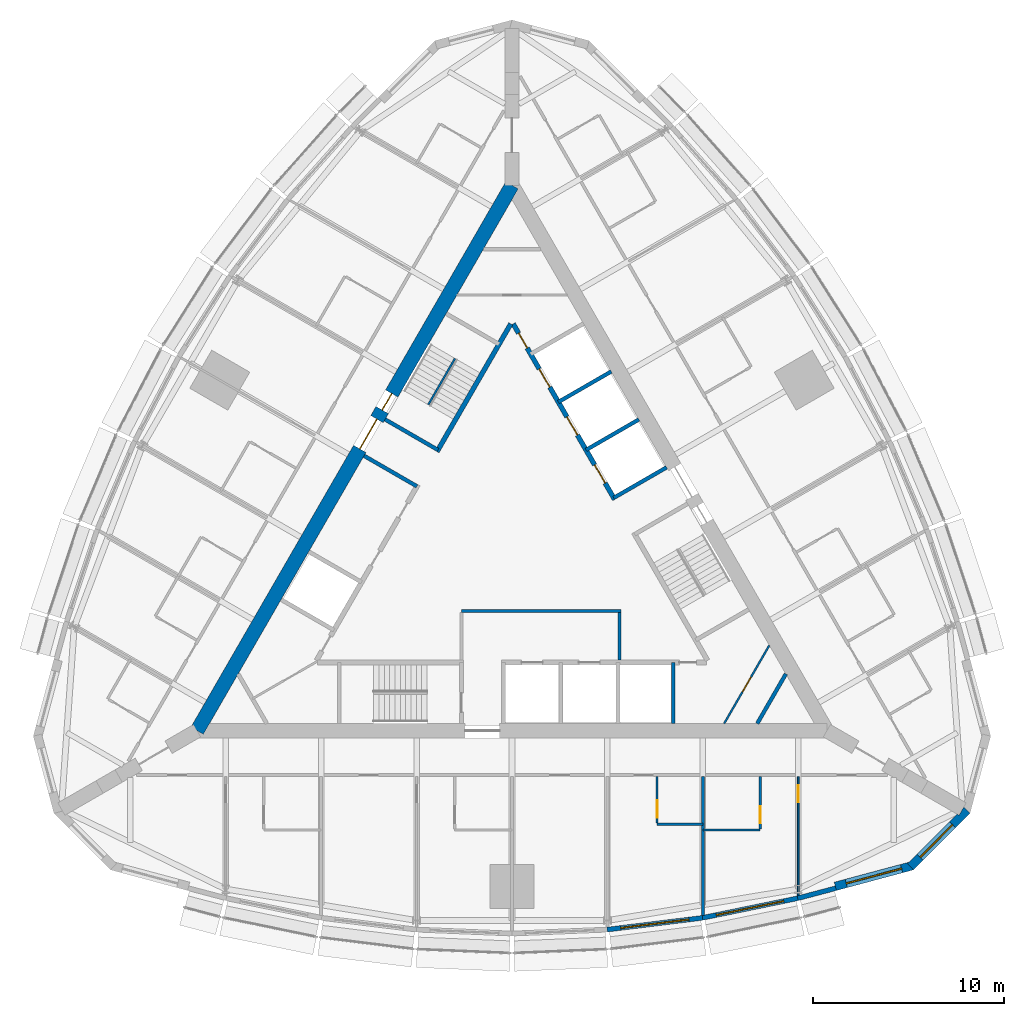
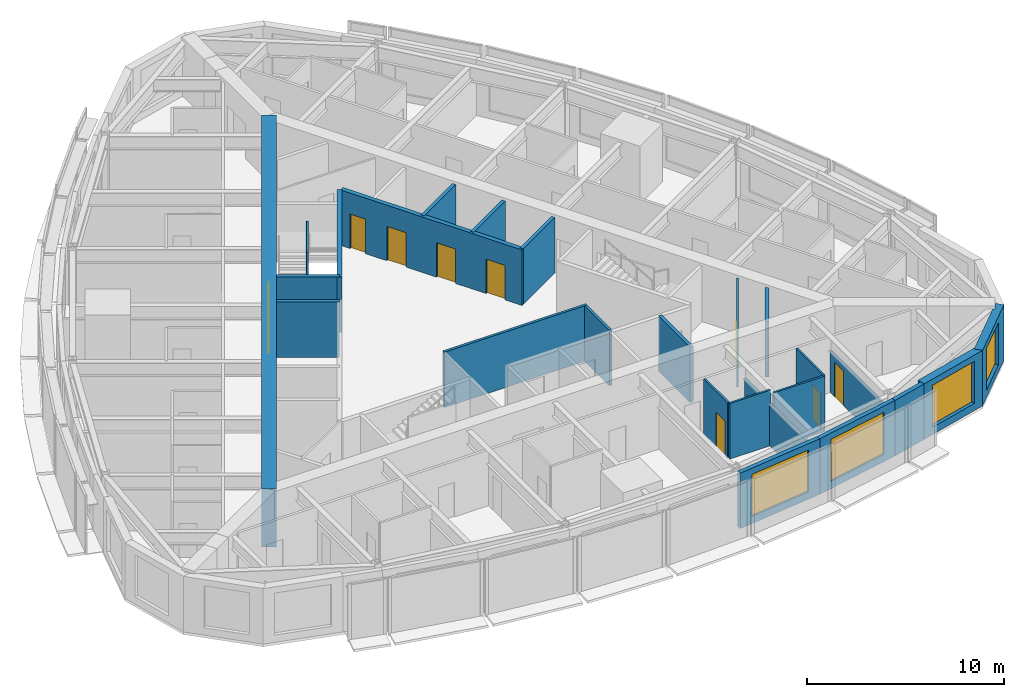
# One storey, part 11 of 15: 25 walls, 10 doors, 4 windows, 14 openings.
"""IFC4 building model written with IfcOpenShell, lengths in metres."""

from ifc_helpers import new_model, si_unit, direction, frame, frame_2d, origin, place, context, subcontext, project, spatial, polyline, rectangle, outline, extrude, material, layer, layer_set, type_object, element, fill, save


model = new_model("IFC4")

# Units and contexts
model_context = context("Model", 3, precision=1e-05, world=origin(), true_north=direction((0.0, 1.0)))
body_context = subcontext(model_context, "Body", "Model", "MODEL_VIEW")
ifc_project = project(units=[si_unit("LENGTHUNIT", "METRE"), si_unit("AREAUNIT", "SQUARE_METRE"), si_unit("VOLUMEUNIT", "CUBIC_METRE"), si_unit("PLANEANGLEUNIT", "RADIAN"), si_unit("MASSUNIT", "GRAM", prefix="KILO")], contexts=[model_context])

# Site, building, storey
site_placement = place(None, origin())
site = spatial("IfcSite", under=ifc_project, at=site_placement, CompositionType="ELEMENT")
building_placement = place(site_placement, origin())
building = spatial("IfcBuilding", under=site, at=building_placement, Name="Trikona Tower", CompositionType="ELEMENT")
storey_placement = place(building_placement, frame((0.0, 0.0, 218.89990234375)))
storey = spatial("IfcBuildingStorey", under=building, at=storey_placement, Name="L58", CompositionType="ELEMENT", Elevation=218.89990234375)

# Wall
ifc_material_1 = material(Name="Metal stud and cement board", Category="gypsum")
ifc_layer_1 = layer(ifc_material_1, 0.1201171875)
ifc_layer_set_1 = layer_set([ifc_layer_1], Name="Bathroom wall 120")
wall_type_1 = type_object("IfcWallType", Name="Bathroom wall 120", PredefinedType="PLUMBINGWALL", material=ifc_layer_set_1)
wall_1_placement = place(storey_placement, frame((7.60009765625, -14.42626953125, 0.0), z_axis=(0.0, 0.0, 1.0), x_axis=(1.0, 0.0, 0.0)))
element("IfcWall", 1, at=wall_1_placement, inside=storey, type_object=wall_type_1, Name="Bathroom wall 5803", PredefinedType="PLUMBINGWALL", context=body_context, shape_type="SweptSolid", body=[
    extrude(rectangle(XDim=2.39990234375, YDim=0.1201171875, at=frame_2d((1.199951171875, 0.0))), origin(), (0.0, 0.0, 1.0), 3.43505859375),
])

# Wall, opening, door
wall_2_placement = place(storey_placement, frame((7.60009765625, -11.92626953125, 0.0), z_axis=(0.0, 0.0, 1.0), x_axis=(0.0, -1.0, 0.0)))
wall_2 = element("IfcWall", 2, at=wall_2_placement, inside=storey, type_object=wall_type_1, Name="Bathroom wall 5803", PredefinedType="PLUMBINGWALL", context=body_context, shape_type="SweptSolid", body=[
    extrude(rectangle(XDim=2.43994140625, YDim=0.1201171875, at=frame_2d((1.219970703125, 0.0))), origin(), (0.0, 0.0, 1.0), 3.43505859375),
])
opening_1_placement = place(wall_2_placement, frame((1.25, 0.0, 0.0)))
opening_1 = element("IfcOpeningElement", 3, at=opening_1_placement, cuts=wall_2, Name="Opening D2", PredefinedType="OPENING", context=body_context, shape_type="SweptSolid", body=[
    extrude(rectangle(XDim=0.89990234375, YDim=2.1298828125, at=frame_2d((0.449951171875, 1.06494140625))), frame((0.0, 0.070068359375, 0.0), z_axis=(0.0, -1.0, 0.0), x_axis=(1.0, 0.0, 0.0)), (0.0, 0.0, 1.0), 0.14013671875),
])
ifc_material_2 = material(Name="Steel door frame with solid-core timber leaf", Category="steel")
door_type_1 = type_object("IfcDoorType", Name="Bathroom door 900x2130", OperationType="SLIDING_TO_LEFT", PredefinedType="DOOR", material=ifc_material_2)
door_1_placement = place(opening_1_placement, origin())
door_1 = element("IfcDoor", 4, at=door_1_placement, inside=storey, type_object=door_type_1, Name="Bathroom door 5803", OperationType="SLIDING_TO_LEFT", OverallHeight=2.1298828125, OverallWidth=0.89990234375, PredefinedType="DOOR", context=body_context, shape_type="SweptSolid", body=[
    extrude(rectangle(XDim=0.89990234375, YDim=2.1298828125, at=frame_2d((0.449951171875, 1.06494140625))), frame((0.0, 0.02490234375, 0.0), z_axis=(0.0, -1.0, 0.0), x_axis=(1.0, 0.0, 0.0)), (0.0, 0.0, 1.0), 0.050048828125),
])
fill(opening_1, door_1)

# Wall
wall_3_placement = place(storey_placement, frame((10.0, -14.726318359375, 0.0), z_axis=(0.0, 0.0, 1.0), x_axis=(1.0, 0.0, 0.0)))
element("IfcWall", 5, at=wall_3_placement, inside=storey, type_object=wall_type_1, Name="Bathroom wall 5804.1", PredefinedType="PLUMBINGWALL", context=body_context, shape_type="SweptSolid", body=[
    extrude(rectangle(XDim=3.0, YDim=0.1201171875, at=frame_2d((1.5, 0.0))), origin(), (0.0, 0.0, 1.0), 3.43505859375),
])

# Wall, opening, door
wall_4_placement = place(storey_placement, frame((13.0, -11.92626953125, 0.0), z_axis=(0.0, 0.0, 1.0), x_axis=(0.0, -1.0, 0.0)))
wall_4 = element("IfcWall", 6, at=wall_4_placement, inside=storey, type_object=wall_type_1, Name="Bathroom wall 5804.1", PredefinedType="PLUMBINGWALL", context=body_context, shape_type="SweptSolid", body=[
    extrude(rectangle(XDim=2.739990234375, YDim=0.1201171875, at=frame_2d((1.3701171875, 0.0))), origin(), (0.0, 0.0, 1.0), 3.43505859375),
])
opening_2_placement = place(wall_4_placement, frame((1.550048828125, 0.0, 0.0)))
opening_2 = element("IfcOpeningElement", 7, at=opening_2_placement, cuts=wall_4, Name="Opening D2", PredefinedType="OPENING", context=body_context, shape_type="SweptSolid", body=[
    extrude(rectangle(XDim=0.89990234375, YDim=2.1298828125, at=frame_2d((0.449951171875, 1.06494140625))), frame((0.0, 0.070068359375, 0.0), z_axis=(0.0, -1.0, 0.0), x_axis=(1.0, 0.0, 0.0)), (0.0, 0.0, 1.0), 0.14013671875),
])
door_2_placement = place(opening_2_placement, origin())
door_2 = element("IfcDoor", 8, at=door_2_placement, inside=storey, type_object=door_type_1, Name="Bathroom door 5804.1", OperationType="SLIDING_TO_LEFT", OverallHeight=2.1298828125, OverallWidth=0.89990234375, PredefinedType="DOOR", context=body_context, shape_type="SweptSolid", body=[
    extrude(rectangle(XDim=0.89990234375, YDim=2.1298828125, at=frame_2d((0.449951171875, 1.06494140625))), frame((0.0, 0.02490234375, 0.0), z_axis=(0.0, -1.0, 0.0), x_axis=(1.0, 0.0, 0.0)), (0.0, 0.0, 1.0), 0.050048828125),
])
fill(opening_2, door_2)

# Wall, opening, window
ifc_material_3 = material(Name="Brick-faced precast concrete", Category="masonry")
ifc_layer_2 = layer(ifc_material_3, 0.449951171875)
ifc_layer_set_2 = layer_set([ifc_layer_2], Name="Brick-faced corner wall 450")
wall_type_2 = type_object("IfcWallType", Name="Brick-faced corner wall 450", PredefinedType="SOLIDWALL", material=ifc_layer_set_2)
wall_5_placement = place(storey_placement, frame((16.94189453125, -17.6806640625, 0.0), z_axis=(0.0, 0.0, 1.0), x_axis=(0.965920442324, 0.258839137498, 0.0)))
wall_5 = element("IfcWall", 9, at=wall_5_placement, inside=storey, type_object=wall_type_2, Name="External wall L58-08", PredefinedType="SOLIDWALL", context=body_context, shape_type="SweptSolid", body=[
    extrude(rectangle(XDim=4.18408203125, YDim=0.449951171875, at=frame_2d((2.092041015625, 0.0))), origin(), (0.0, 0.0, 1.0), 3.43505859375),
])
opening_3_placement = place(wall_5_placement, frame((0.592041015625, 0.0, 0.449951171875)))
opening_3 = element("IfcOpeningElement", 10, at=opening_3_placement, cuts=wall_5, Name="Opening W3026", PredefinedType="OPENING", context=body_context, shape_type="SweptSolid", body=[
    extrude(rectangle(XDim=3.0, YDim=2.60009765625, at=frame_2d((1.5, 1.300048828125))), frame((0.0, 0.23486328125, 0.0), z_axis=(0.0, -1.0, 0.0), x_axis=(1.0, 0.0, 0.0)), (0.0, 0.0, 1.0), 0.469970703125),
])
ifc_material_4 = material(Name="Aluminium-framed double glazing", Category="aluminium")
window_type_1 = type_object("IfcWindowType", Name="Window 3000x2600", PartitioningType="SINGLE_PANEL", PredefinedType="WINDOW", material=ifc_material_4)
window_1_placement = place(opening_3_placement, origin())
window_1 = element("IfcWindow", 11, at=window_1_placement, inside=storey, type_object=window_type_1, Name="Window 5804", OverallHeight=2.60009765625, OverallWidth=3.0, PartitioningType="SINGLE_PANEL", PredefinedType="WINDOW", context=body_context, shape_type="SweptSolid", body=[
    extrude(rectangle(XDim=3.0, YDim=2.60009765625, at=frame_2d((1.5, 1.300048828125))), frame((0.0, 0.030029296875, 0.0), z_axis=(0.0, -1.0, 0.0), x_axis=(1.0, 0.0, 0.0)), (0.0, 0.0, 1.0), 0.06005859375),
])
fill(opening_3, window_1)

wall_6_placement = place(storey_placement, frame((20.88232421875, -16.656005859375, 0.0), z_axis=(0.0, 0.0, 1.0), x_axis=(0.707077605902, 0.707135955267, 0.0)))
wall_6 = element("IfcWall", 12, at=wall_6_placement, inside=storey, type_object=wall_type_2, Name="External wall L58-09", PredefinedType="SOLIDWALL", context=body_context, shape_type="SweptSolid", body=[
    extrude(outline(polyline([(4.18408203125, 0.22509765625), (4.125244140625, 0.22509765625), (3.705322265625, 0.112548828125), (3.67529296875, 0.22509765625), (0.0, 0.22509765625), (0.0, -0.22509765625), (4.18408203125, -0.22509765625), (4.18408203125, 0.22509765625)])), origin(), (0.0, 0.0, 1.0), 3.43505859375),
])
opening_4_placement = place(wall_6_placement, frame((0.712646484375, 0.0, 0.449951171875)))
opening_4 = element("IfcOpeningElement", 13, at=opening_4_placement, cuts=wall_6, Name="Opening W2426", PredefinedType="OPENING", context=body_context, shape_type="SweptSolid", body=[
    extrude(rectangle(XDim=2.39990234375, YDim=2.60009765625, at=frame_2d((1.199951171875, 1.300048828125))), frame((0.0, 0.23486328125, 0.0), z_axis=(0.0, -1.0, 0.0), x_axis=(1.0, 0.0, 0.0)), (0.0, 0.0, 1.0), 0.469970703125),
])
ifc_material_5 = material(Name="Aluminium-framed double glazing", Category="aluminium")
window_type_2 = type_object("IfcWindowType", Name="Window 2400x2600", PartitioningType="SINGLE_PANEL", PredefinedType="WINDOW", material=ifc_material_5)
window_2_placement = place(opening_4_placement, origin())
window_2 = element("IfcWindow", 14, at=window_2_placement, inside=storey, type_object=window_type_2, Name="Window 5804", OverallHeight=2.60009765625, OverallWidth=2.39990234375, PartitioningType="SINGLE_PANEL", PredefinedType="WINDOW", context=body_context, shape_type="SweptSolid", body=[
    extrude(rectangle(XDim=2.39990234375, YDim=2.60009765625, at=frame_2d((1.199951171875, 1.300048828125))), frame((0.0, 0.030029296875, 0.0), z_axis=(0.0, -1.0, 0.0), x_axis=(1.0, 0.0, 0.0)), (0.0, 0.0, 1.0), 0.06005859375),
])
fill(opening_4, window_2)

# Wall, openings, doors
ifc_material_6 = material(Name="Concrete f'c 10000 psi", Category="concrete")
ifc_layer_3 = layer(ifc_material_6, 0.75)
ifc_layer_set_3 = layer_set([ifc_layer_3], Name="Core wall 750")
wall_type_3 = type_object("IfcWallType", Name="Core wall 750", PredefinedType="SHEAR", material=ifc_layer_set_3)
wall_7_placement = place(storey_placement, frame((0.0, 19.052490234375, 0.0), z_axis=(0.0, 0.0, 1.0), x_axis=(-0.499999749417, -0.866025548458, 0.0)))
wall_7 = element("IfcWall", 15, at=wall_7_placement, inside=storey, type_object=wall_type_3, Name="Core wall C", PredefinedType="SHEAR", context=body_context, shape_type="SweptSolid", body=[
    extrude(rectangle(XDim=33.0, YDim=0.75, at=frame_2d((16.5, 0.0))), origin(), (0.0, 0.0, 1.0), 3.60009765625),
])
opening_5_placement = place(wall_7_placement, frame((14.14990234375, 0.0, 0.0)))
opening_5 = element("IfcOpeningElement", 16, at=opening_5_placement, cuts=wall_7, Name="Opening D6", PredefinedType="OPENING", context=body_context, shape_type="SweptSolid", body=[
    extrude(rectangle(XDim=1.800048828125, YDim=2.1298828125, at=frame_2d((0.89990234375, 1.06494140625))), frame((0.0, 0.385009765625, 0.0), z_axis=(0.0, -1.0, 0.0), x_axis=(1.0, 0.0, 0.0)), (0.0, 0.0, 1.0), 0.77001953125),
])
opening_6_placement = place(wall_7_placement, frame((12.60009765625, 0.0, 0.0)))
opening_6 = element("IfcOpeningElement", 17, at=opening_6_placement, cuts=wall_7, Name="Opening D5", PredefinedType="OPENING", context=body_context, shape_type="SweptSolid", body=[
    extrude(rectangle(XDim=1.0, YDim=2.1298828125, at=frame_2d((0.5, 1.06494140625))), frame((0.0, 0.385009765625, 0.0), z_axis=(0.0, -1.0, 0.0), x_axis=(1.0, 0.0, 0.0)), (0.0, 0.0, 1.0), 0.77001953125),
])
ifc_material_7 = material(Name="Hollow metal door and frame", Category="steel")
door_type_2 = type_object("IfcDoorType", Name="Lobby door pair 1800x2130", OperationType="DOUBLE_DOOR_SINGLE_SWING", PredefinedType="DOOR", material=ifc_material_7)
door_3_placement = place(opening_5_placement, origin())
door_3 = element("IfcDoor", 18, at=door_3_placement, inside=storey, type_object=door_type_2, Name="Lift lobby door C", OperationType="DOUBLE_DOOR_SINGLE_SWING", OverallHeight=2.1298828125, OverallWidth=1.800048828125, PredefinedType="DOOR", context=body_context, shape_type="SweptSolid", body=[
    extrude(rectangle(XDim=1.800048828125, YDim=2.1298828125, at=frame_2d((0.89990234375, 1.06494140625))), frame((0.0, 0.02490234375, 0.0), z_axis=(0.0, -1.0, 0.0), x_axis=(1.0, 0.0, 0.0)), (0.0, 0.0, 1.0), 0.050048828125),
])
fill(opening_5, door_3)
ifc_material_8 = material(Name="Hollow metal door and frame", Category="steel")
door_type_3 = type_object("IfcDoorType", Name="Stair door 1000x2130", OperationType="SINGLE_SWING_LEFT", PredefinedType="DOOR", material=ifc_material_8)
door_4_placement = place(opening_6_placement, origin())
door_4 = element("IfcDoor", 19, at=door_4_placement, inside=storey, type_object=door_type_3, Name="Stair C door", OperationType="SINGLE_SWING_RIGHT", OverallHeight=2.1298828125, OverallWidth=1.0, PredefinedType="DOOR", context=body_context, shape_type="SweptSolid", body=[
    extrude(rectangle(XDim=1.0, YDim=2.1298828125, at=frame_2d((0.5, 1.06494140625))), frame((0.0, 0.02490234375, 0.0), z_axis=(0.0, -1.0, 0.0), x_axis=(1.0, 0.0, 0.0)), (0.0, 0.0, 1.0), 0.050048828125),
])
fill(opening_6, door_4)

ifc_material_9 = material(Name="Concrete f'c 8000 psi", Category="concrete")
ifc_layer_4 = layer(ifc_material_9, 0.25)
ifc_layer_set_4 = layer_set([ifc_layer_4], Name="Hub wall 250")
wall_type_4 = type_object("IfcWallType", Name="Hub wall 250", PredefinedType="SOLIDWALL", material=ifc_layer_set_4)
wall_8_placement = place(storey_placement, frame((5.37890625, 2.5859375, 0.0), z_axis=(0.0, 0.0, 1.0), x_axis=(-0.500001375892, 0.866024609411, 0.0)))
wall_8 = element("IfcWall", 20, at=wall_8_placement, inside=storey, type_object=wall_type_4, Name="Lift lobby wall B2", PredefinedType="SOLIDWALL", context=body_context, shape_type="SweptSolid", body=[
    extrude(rectangle(XDim=10.6328125, YDim=0.25, at=frame_2d((5.31640625, 0.0))), origin(), (0.0, 0.0, 1.0), 3.43505859375),
])
opening_7_placement = place(wall_8_placement, frame((9.1640625, 0.0, 0.0)))
opening_7 = element("IfcOpeningElement", 21, at=opening_7_placement, cuts=wall_8, Name="Opening D14", PredefinedType="OPENING", context=body_context, shape_type="SweptSolid", body=[
    extrude(rectangle(XDim=0.89990234375, YDim=2.1298828125, at=frame_2d((0.449951171875, 1.06494140625))), frame((0.0, 0.135009765625, 0.0), z_axis=(0.0, -1.0, 0.0), x_axis=(1.0, 0.0, 0.0)), (0.0, 0.0, 1.0), 0.27001953125),
])
opening_8_placement = place(wall_8_placement, frame((1.0, 0.0, 0.0)))
opening_8 = element("IfcOpeningElement", 22, at=opening_8_placement, cuts=wall_8, Name="Opening LD", PredefinedType="OPENING", context=body_context, shape_type="SweptSolid", body=[
    extrude(rectangle(XDim=1.10009765625, YDim=2.1298828125, at=frame_2d((0.550048828125, 1.06494140625))), frame((0.0, 0.135009765625, 0.0), z_axis=(0.0, -1.0, 0.0), x_axis=(1.0, 0.0, 0.0)), (0.0, 0.0, 1.0), 0.27001953125),
])
opening_9_placement = place(wall_8_placement, frame((3.89990234375, 0.0, 0.0)))
opening_9 = element("IfcOpeningElement", 23, at=opening_9_placement, cuts=wall_8, Name="Opening LD", PredefinedType="OPENING", context=body_context, shape_type="SweptSolid", body=[
    extrude(rectangle(XDim=1.10009765625, YDim=2.1298828125, at=frame_2d((0.550048828125, 1.06494140625))), frame((0.0, 0.135009765625, 0.0), z_axis=(0.0, -1.0, 0.0), x_axis=(1.0, 0.0, 0.0)), (0.0, 0.0, 1.0), 0.27001953125),
])
opening_10_placement = place(wall_8_placement, frame((6.800048828125, 0.0, 0.0)))
opening_10 = element("IfcOpeningElement", 24, at=opening_10_placement, cuts=wall_8, Name="Opening LD", PredefinedType="OPENING", context=body_context, shape_type="SweptSolid", body=[
    extrude(rectangle(XDim=1.10009765625, YDim=2.1298828125, at=frame_2d((0.550048828125, 1.06494140625))), frame((0.0, 0.135009765625, 0.0), z_axis=(0.0, -1.0, 0.0), x_axis=(1.0, 0.0, 0.0)), (0.0, 0.0, 1.0), 0.27001953125),
])
ifc_material_10 = material(Name="Stainless steel lift landing door", Category="steel")
door_type_4 = type_object("IfcDoorType", Name="Lift landing door 1100x2130", OperationType="DOUBLE_DOOR_SLIDING", PredefinedType="USERDEFINED", material=ifc_material_10)
door_5_placement = place(opening_8_placement, origin())
door_5 = element("IfcDoor", 25, at=door_5_placement, inside=storey, type_object=door_type_4, Name="Lift landing door L3-1", ObjectType="LIFT LANDING DOOR", OperationType="DOUBLE_DOOR_SLIDING", OverallHeight=2.1298828125, OverallWidth=1.10009765625, PredefinedType="USERDEFINED", context=body_context, shape_type="SweptSolid", body=[
    extrude(rectangle(XDim=1.10009765625, YDim=2.1298828125, at=frame_2d((0.550048828125, 1.06494140625))), frame((0.0, 0.02490234375, 0.0), z_axis=(0.0, -1.0, 0.0), x_axis=(1.0, 0.0, 0.0)), (0.0, 0.0, 1.0), 0.050048828125),
])
fill(opening_8, door_5)
door_6_placement = place(opening_9_placement, origin())
door_6 = element("IfcDoor", 26, at=door_6_placement, inside=storey, type_object=door_type_4, Name="Lift landing door L3-2", ObjectType="LIFT LANDING DOOR", OperationType="DOUBLE_DOOR_SLIDING", OverallHeight=2.1298828125, OverallWidth=1.10009765625, PredefinedType="USERDEFINED", context=body_context, shape_type="SweptSolid", body=[
    extrude(rectangle(XDim=1.10009765625, YDim=2.1298828125, at=frame_2d((0.550048828125, 1.06494140625))), frame((0.0, 0.02490234375, 0.0), z_axis=(0.0, -1.0, 0.0), x_axis=(1.0, 0.0, 0.0)), (0.0, 0.0, 1.0), 0.050048828125),
])
fill(opening_9, door_6)
door_7_placement = place(opening_10_placement, origin())
door_7 = element("IfcDoor", 27, at=door_7_placement, inside=storey, type_object=door_type_4, Name="Lift landing door L3-3", ObjectType="LIFT LANDING DOOR", OperationType="DOUBLE_DOOR_SLIDING", OverallHeight=2.1298828125, OverallWidth=1.10009765625, PredefinedType="USERDEFINED", context=body_context, shape_type="SweptSolid", body=[
    extrude(rectangle(XDim=1.10009765625, YDim=2.1298828125, at=frame_2d((0.550048828125, 1.06494140625))), frame((0.0, 0.02490234375, 0.0), z_axis=(0.0, -1.0, 0.0), x_axis=(1.0, 0.0, 0.0)), (0.0, 0.0, 1.0), 0.050048828125),
])
fill(opening_10, door_7)
ifc_material_11 = material(Name="Hollow metal door and frame", Category="steel")
door_type_5 = type_object("IfcDoorType", Name="Service room door 900x2130", OperationType="SINGLE_SWING_LEFT", PredefinedType="DOOR", material=ifc_material_11)
door_8_placement = place(opening_7_placement, origin())
door_8 = element("IfcDoor", 28, at=door_8_placement, inside=storey, type_object=door_type_5, Name="Door Linen store LIN", OperationType="SINGLE_SWING_RIGHT", OverallHeight=2.1298828125, OverallWidth=0.89990234375, PredefinedType="DOOR", context=body_context, shape_type="SweptSolid", body=[
    extrude(rectangle(XDim=0.89990234375, YDim=2.1298828125, at=frame_2d((0.449951171875, 1.06494140625))), frame((0.0, 0.02490234375, 0.0), z_axis=(0.0, -1.0, 0.0), x_axis=(1.0, 0.0, 0.0)), (0.0, 0.0, 1.0), 0.050048828125),
])
fill(opening_7, door_8)

# Wall
wall_9_placement = place(storey_placement, frame((-0.0625, 11.794189453125, 0.0), z_axis=(0.0, 0.0, 1.0), x_axis=(-0.500006680225, -0.86602154692, 0.0)))
element("IfcWall", 29, at=wall_9_placement, inside=storey, type_object=wall_type_4, Name="Lift lobby wall C1", PredefinedType="SOLIDWALL", context=body_context, shape_type="SweptSolid", body=[
    extrude(rectangle(XDim=7.73291015625, YDim=0.25, at=frame_2d((3.866455078125, 0.0))), origin(), (0.0, 0.0, 1.0), 3.43505859375),
])

# Wall, opening, window
ifc_material_12 = material(Name="Insulated precast concrete spandrel panel", Category="concrete")
ifc_layer_5 = layer(ifc_material_12, 0.25)
ifc_layer_set_5 = layer_set([ifc_layer_5], Name="Inner skin wall 250")
wall_type_5 = type_object("IfcWallType", Name="Inner skin wall 250", PredefinedType="STANDARD", material=ifc_layer_set_5)
wall_10_placement = place(storey_placement, frame((4.984619140625, -19.947998046875, 0.0), z_axis=(0.0, 0.0, 1.0), x_axis=(0.992449874964, 0.12265090984, 0.0)))
wall_10 = element("IfcWall", 30, at=wall_10_placement, inside=storey, type_object=wall_type_5, Name="External wall L58-05", PredefinedType="STANDARD", context=body_context, shape_type="SweptSolid", body=[
    extrude(rectangle(XDim=5.0380859375, YDim=0.25, at=frame_2d((2.51904296875, 0.0))), origin(), (0.0, 0.0, 1.0), 3.43505859375),
])
opening_11_placement = place(wall_10_placement, frame((0.718994140625, 0.0, 0.449951171875)))
opening_11 = element("IfcOpeningElement", 31, at=opening_11_placement, cuts=wall_10, Name="Opening W3626", PredefinedType="OPENING", context=body_context, shape_type="SweptSolid", body=[
    extrude(rectangle(XDim=3.60009765625, YDim=2.60009765625, at=frame_2d((1.800048828125, 1.300048828125))), frame((0.0, 0.135009765625, 0.0), z_axis=(0.0, -1.0, 0.0), x_axis=(1.0, 0.0, 0.0)), (0.0, 0.0, 1.0), 0.27001953125),
])
ifc_material_13 = material(Name="Aluminium-framed double glazing", Category="aluminium")
window_type_3 = type_object("IfcWindowType", Name="Window 3600x2600", PartitioningType="SINGLE_PANEL", PredefinedType="WINDOW", material=ifc_material_13)
window_3_placement = place(opening_11_placement, origin())
window_3 = element("IfcWindow", 32, at=window_3_placement, inside=storey, type_object=window_type_3, Name="Window 5803", OverallHeight=2.60009765625, OverallWidth=3.60009765625, PartitioningType="SINGLE_PANEL", PredefinedType="WINDOW", context=body_context, shape_type="SweptSolid", body=[
    extrude(rectangle(XDim=3.60009765625, YDim=2.60009765625, at=frame_2d((1.800048828125, 1.300048828125))), frame((0.0, 0.030029296875, 0.0), z_axis=(0.0, -1.0, 0.0), x_axis=(1.0, 0.0, 0.0)), (0.0, 0.0, 1.0), 0.06005859375),
])
fill(opening_11, window_3)

wall_11_placement = place(storey_placement, frame((9.974853515625, -19.331787109375, 0.0), z_axis=(0.0, 0.0, 1.0), x_axis=(0.979461488189, 0.201631329795, 0.0)))
wall_11 = element("IfcWall", 33, at=wall_11_placement, inside=storey, type_object=wall_type_5, Name="External wall L58-06", PredefinedType="STANDARD", context=body_context, shape_type="SweptSolid", body=[
    extrude(rectangle(XDim=5.104736328125, YDim=0.25, at=frame_2d((2.55224609375, 0.0))), origin(), (0.0, 0.0, 1.0), 3.43505859375),
])
opening_12_placement = place(wall_11_placement, frame((0.75244140625, 0.0, 0.449951171875)))
opening_12 = element("IfcOpeningElement", 34, at=opening_12_placement, cuts=wall_11, Name="Opening W3626", PredefinedType="OPENING", context=body_context, shape_type="SweptSolid", body=[
    extrude(rectangle(XDim=3.60009765625, YDim=2.60009765625, at=frame_2d((1.800048828125, 1.300048828125))), frame((0.0, 0.135009765625, 0.0), z_axis=(0.0, -1.0, 0.0), x_axis=(1.0, 0.0, 0.0)), (0.0, 0.0, 1.0), 0.27001953125),
])
window_4_placement = place(opening_12_placement, origin())
window_4 = element("IfcWindow", 35, at=window_4_placement, inside=storey, type_object=window_type_3, Name="Window 5804.1", OverallHeight=2.60009765625, OverallWidth=3.60009765625, PartitioningType="SINGLE_PANEL", PredefinedType="WINDOW", context=body_context, shape_type="SweptSolid", body=[
    extrude(rectangle(XDim=3.60009765625, YDim=2.60009765625, at=frame_2d((1.800048828125, 1.300048828125))), frame((0.0, 0.030029296875, 0.0), z_axis=(0.0, -1.0, 0.0), x_axis=(1.0, 0.0, 0.0)), (0.0, 0.0, 1.0), 0.06005859375),
])
fill(opening_12, window_4)

# Walls
wall_12_placement = place(storey_placement, frame((14.968017578125, -18.303955078125, 0.0), z_axis=(0.0, 0.0, 1.0), x_axis=(0.967010286052, 0.254737328772, 0.0)))
element("IfcWall", 36, at=wall_12_placement, inside=storey, type_object=wall_type_5, Name="External wall L58-07", PredefinedType="STANDARD", context=body_context, shape_type="SweptSolid", body=[
    extrude(rectangle(XDim=2.068115234375, YDim=0.25, at=frame_2d((1.0341796875, 0.0))), origin(), (0.0, 0.0, 1.0), 3.43505859375),
])
ifc_material_14 = material(Name="Metal stud and gypsum board, 2-hour shaft wall", Category="gypsum")
ifc_layer_6 = layer(ifc_material_14, 0.14990234375)
ifc_layer_set_6 = layer_set([ifc_layer_6], Name="Lobby wall 150")
wall_type_6 = type_object("IfcWallType", Name="Lobby wall 150", PredefinedType="PARTITIONING", material=ifc_layer_set_6)
wall_13_placement = place(storey_placement, frame((-2.64990234375, -3.251220703125, 0.0), z_axis=(0.0, 0.0, 1.0), x_axis=(1.0, 0.0, 0.0)))
element("IfcWall", 37, at=wall_13_placement, inside=storey, type_object=wall_type_6, Name="Fire service lift lobby wall 1", PredefinedType="PARTITIONING", context=body_context, shape_type="SweptSolid", body=[
    extrude(rectangle(XDim=8.349853515625, YDim=0.14990234375, at=frame_2d((4.1748046875, 0.0))), origin(), (0.0, 0.0, 1.0), 3.43505859375),
])
wall_14_placement = place(storey_placement, frame((5.625, -5.826416015625, 0.0), z_axis=(0.0, 0.0, 1.0), x_axis=(0.0, 1.0, 0.0)))
element("IfcWall", 38, at=wall_14_placement, inside=storey, type_object=wall_type_6, Name="Fire service lift lobby wall 3", PredefinedType="PARTITIONING", context=body_context, shape_type="SweptSolid", body=[
    extrude(rectangle(XDim=2.5, YDim=0.14990234375, at=frame_2d((1.25, 0.0))), origin(), (0.0, 0.0, 1.0), 3.43505859375),
])
ifc_material_15 = material(Name="Metal stud and gypsum board, 1-hour acoustic", Category="gypsum")
ifc_layer_7 = layer(ifc_material_15, 0.14990234375)
ifc_layer_set_7 = layer_set([ifc_layer_7], Name="Party wall 150")
wall_type_7 = type_object("IfcWallType", Name="Party wall 150", PredefinedType="PARTITIONING", material=ifc_layer_set_7)
wall_15_placement = place(storey_placement, frame((10.0, -11.92626953125, 0.0), z_axis=(0.0, 0.0, 1.0), x_axis=(0.0, -1.0, 0.0)))
element("IfcWall", 39, at=wall_15_placement, inside=storey, type_object=wall_type_7, Name="Partition L58 F1 u10", PredefinedType="PARTITIONING", context=body_context, shape_type="SweptSolid", body=[
    extrude(rectangle(XDim=7.27294921875, YDim=0.14990234375, at=frame_2d((3.636474609375, 0.0))), origin(), (0.0, 0.0, 1.0), 2.58935546875),
])
ifc_material_16 = material(Name="Concrete f'c 8000 psi", Category="concrete")
ifc_layer_8 = layer(ifc_material_16, 0.199951171875)
ifc_layer_set_8 = layer_set([ifc_layer_8], Name="Shaft wall 200")
wall_type_8 = type_object("IfcWallType", Name="Shaft wall 200", PredefinedType="SOLIDWALL", material=ifc_layer_set_8)
wall_16_placement = place(storey_placement, frame((8.449951171875, -5.951416015625, 0.0), z_axis=(0.0, 0.0, 1.0), x_axis=(0.0, -1.0, 0.0)))
element("IfcWall", 40, at=wall_16_placement, inside=storey, type_object=wall_type_8, Name="Shaft wall A6", PredefinedType="SOLIDWALL", context=body_context, shape_type="SweptSolid", body=[
    extrude(rectangle(XDim=3.199951171875, YDim=0.199951171875, at=frame_2d((1.60009765625, 0.0))), origin(), (0.0, 0.0, 1.0), 3.43505859375),
])
wall_17_placement = place(storey_placement, frame((5.3291015625, 2.672607421875, 0.0), z_axis=(0.0, 0.0, 1.0), x_axis=(0.866022944154, 0.50000426018, 0.0)))
element("IfcWall", 41, at=wall_17_placement, inside=storey, type_object=wall_type_8, Name="Shaft wall B3", PredefinedType="SOLIDWALL", context=body_context, shape_type="SweptSolid", body=[
    extrude(rectangle(XDim=3.19970703125, YDim=0.199951171875, at=frame_2d((1.599853515625, 0.0))), origin(), (0.0, 0.0, 1.0), 3.43505859375),
])
for number, where, z_axis, x_axis, name in (
    (42, (3.87890625, 5.18408203125, 0.0), (0.0, 0.0, 1.0), (0.866042017984, 0.499971222258, 0.0), "Shaft wall B4"),
    (43, (2.428955078125, 7.695556640625, 0.0), (0.0, 0.0, 1.0), (0.866042017984, 0.499971222258, 0.0), "Shaft wall B5"),
    (44, (-4.97900390625, 3.27880859375, 0.0), (0.0, 0.0, 1.0), (-0.866042017984, 0.499971222258, 0.0), "Shaft wall C3"),
):
    element("IfcWall", number, at=place(storey_placement, frame(where, z_axis=z_axis, x_axis=x_axis)), inside=storey, type_object=wall_type_8, Name=name, PredefinedType="SOLIDWALL", context=body_context, shape_type="SweptSolid", body=[
        extrude(rectangle(XDim=3.199951171875, YDim=0.199951171875, at=frame_2d((1.60009765625, 0.0))), origin(), (0.0, 0.0, 1.0), 3.43505859375),
    ])
wall_18_placement = place(storey_placement, frame((14.349365234375, -6.55126953125, 0.0), z_axis=(0.0, 0.0, 1.0), x_axis=(-0.499952404951, -0.866052881055, 0.0)))
element("IfcWall", 45, at=wall_18_placement, inside=storey, type_object=wall_type_8, Name="Riser wall L58-RS1", PredefinedType="SOLIDWALL", context=body_context, shape_type="SweptSolid", body=[
    extrude(rectangle(XDim=3.002197265625, YDim=0.199951171875, at=frame_2d((1.5009765625, 0.0))), origin(), (0.0, 0.0, 1.0), 3.43505859375),
])
ifc_material_17 = material(Name="Concrete f'c 8000 psi", Category="concrete")
ifc_layer_9 = layer(ifc_material_17, 0.199951171875)
ifc_layer_set_9 = layer_set([ifc_layer_9], Name="Shaft wall 200 load-bearing")
wall_type_9 = type_object("IfcWallType", Name="Shaft wall 200 load-bearing", PredefinedType="SOLIDWALL", material=ifc_layer_set_9)
wall_19_placement = place(storey_placement, frame((-3.87890625, 5.18408203125, 0.0), z_axis=(0.0, 0.0, 1.0), x_axis=(-0.866042017984, 0.499971222258, 0.0)))
element("IfcWall", 46, at=wall_19_placement, inside=storey, type_object=wall_type_9, Name="Shaft wall C2", PredefinedType="SOLIDWALL", context=body_context, shape_type="SweptSolid", body=[
    extrude(rectangle(XDim=3.199951171875, YDim=0.199951171875, at=frame_2d((1.60009765625, 0.0))), origin(), (0.0, 0.0, 1.0), 3.43505859375),
])
ifc_material_18 = material(Name="Concrete f'c 5000 psi", Category="concrete")
ifc_layer_10 = layer(ifc_material_18, 0.10009765625)
ifc_layer_set_10 = layer_set([ifc_layer_10], Name="Stair spine wall 100")
wall_type_10 = type_object("IfcWallType", Name="Stair spine wall 100", PredefinedType="SOLIDWALL", material=ifc_layer_set_10)
wall_20_placement = place(storey_placement, frame((-2.98779296875, 9.9775390625, 0.0), z_axis=(0.0, 0.0, 1.0), x_axis=(-0.499992232847, -0.866029888106, 0.0)))
element("IfcWall", 47, at=wall_20_placement, inside=storey, type_object=wall_type_10, Name="Stair C spine wall L58", PredefinedType="SOLIDWALL", context=body_context, shape_type="SweptSolid", body=[
    extrude(rectangle(XDim=2.7939453125, YDim=0.10009765625, at=frame_2d((1.39697265625, 0.0))), origin(), (0.0, 0.0, 1.0), 3.60009765625),
])

# Wall, opening, door
ifc_material_19 = material(Name="Metal stud and gypsum board, acoustic", Category="gypsum")
ifc_layer_11 = layer(ifc_material_19, 0.10009765625)
ifc_layer_set_11 = layer_set([ifc_layer_11], Name="Suite partition 100")
wall_type_11 = type_object("IfcWallType", Name="Suite partition 100", PredefinedType="PARTITIONING", material=ifc_layer_set_11)
wall_21_placement = place(storey_placement, frame((15.0, -11.92626953125, 0.0), z_axis=(0.0, 0.0, 1.0), x_axis=(0.0, -1.0, 0.0)))
wall_21 = element("IfcWall", 48, at=wall_21_placement, inside=storey, type_object=wall_type_11, Name="Suite partition L58 F1 u15", PredefinedType="PARTITIONING", context=body_context, shape_type="SweptSolid", body=[
    extrude(rectangle(XDim=6.240234375, YDim=0.10009765625, at=frame_2d((3.1201171875, 0.0))), origin(), (0.0, 0.0, 1.0), 2.58935546875),
])
opening_13_placement = place(wall_21_placement, frame((0.449951171875, 0.0, 0.0)))
opening_13 = element("IfcOpeningElement", 49, at=opening_13_placement, cuts=wall_21, Name="Opening D13", PredefinedType="OPENING", context=body_context, shape_type="SweptSolid", body=[
    extrude(rectangle(XDim=0.89990234375, YDim=2.1298828125, at=frame_2d((0.449951171875, 1.06494140625))), frame((0.0, 0.06005859375, 0.0), z_axis=(0.0, -1.0, 0.0), x_axis=(1.0, 0.0, 0.0)), (0.0, 0.0, 1.0), 0.1201171875),
])
ifc_material_20 = material(Name="Steel door frame with solid-core timber leaf", Category="steel")
door_type_6 = type_object("IfcDoorType", Name="Suite door 900x2130", OperationType="SINGLE_SWING_LEFT", PredefinedType="DOOR", material=ifc_material_20)
door_9_placement = place(opening_13_placement, origin())
door_9 = element("IfcDoor", 50, at=door_9_placement, inside=storey, type_object=door_type_6, Name="Suite door 5804", OperationType="SINGLE_SWING_LEFT", OverallHeight=2.1298828125, OverallWidth=0.89990234375, PredefinedType="DOOR", context=body_context, shape_type="SweptSolid", body=[
    extrude(rectangle(XDim=0.89990234375, YDim=2.1298828125, at=frame_2d((0.449951171875, 1.06494140625))), frame((0.0, 0.02490234375, 0.0), z_axis=(0.0, -1.0, 0.0), x_axis=(1.0, 0.0, 0.0)), (0.0, 0.0, 1.0), 0.050048828125),
])
fill(opening_13, door_9)

wall_22_placement = place(storey_placement, frame((13.4833984375, -5.05126953125, 0.0), z_axis=(0.0, 0.0, 1.0), x_axis=(-0.499999210213, -0.866025859768, 0.0)))
wall_22 = element("IfcWall", 51, at=wall_22_placement, inside=storey, type_object=wall_type_11, Name="Store partition L58-RS1", PredefinedType="PARTITIONING", context=body_context, shape_type="SweptSolid", body=[
    extrude(rectangle(XDim=4.734375, YDim=0.10009765625, at=frame_2d((2.3671875, 0.0))), origin(), (0.0, 0.0, 1.0), 3.43505859375),
])
opening_14_placement = place(wall_22_placement, frame((1.917236328125, 0.0, 0.0)))
opening_14 = element("IfcOpeningElement", 52, at=opening_14_placement, cuts=wall_22, Name="Opening D15", PredefinedType="OPENING", context=body_context, shape_type="SweptSolid", body=[
    extrude(rectangle(XDim=0.89990234375, YDim=2.1298828125, at=frame_2d((0.449951171875, 1.06494140625))), frame((0.0, 0.06005859375, 0.0), z_axis=(0.0, -1.0, 0.0), x_axis=(1.0, 0.0, 0.0)), (0.0, 0.0, 1.0), 0.1201171875),
])
ifc_material_21 = material(Name="Steel door frame with solid-core timber leaf", Category="steel")
door_type_7 = type_object("IfcDoorType", Name="Store door 900x2130", OperationType="SINGLE_SWING_LEFT", PredefinedType="DOOR", material=ifc_material_21)
door_10_placement = place(opening_14_placement, origin())
door_10 = element("IfcDoor", 53, at=door_10_placement, inside=storey, type_object=door_type_7, Name="Door Amenity store AMS", OperationType="SINGLE_SWING_RIGHT", OverallHeight=2.1298828125, OverallWidth=0.89990234375, PredefinedType="DOOR", context=body_context, shape_type="SweptSolid", body=[
    extrude(rectangle(XDim=0.89990234375, YDim=2.1298828125, at=frame_2d((0.449951171875, 1.06494140625))), frame((0.0, 0.02490234375, 0.0), z_axis=(0.0, -1.0, 0.0), x_axis=(1.0, 0.0, 0.0)), (0.0, 0.0, 1.0), 0.050048828125),
])
fill(opening_14, door_10)

save(model, "model.ifc")
